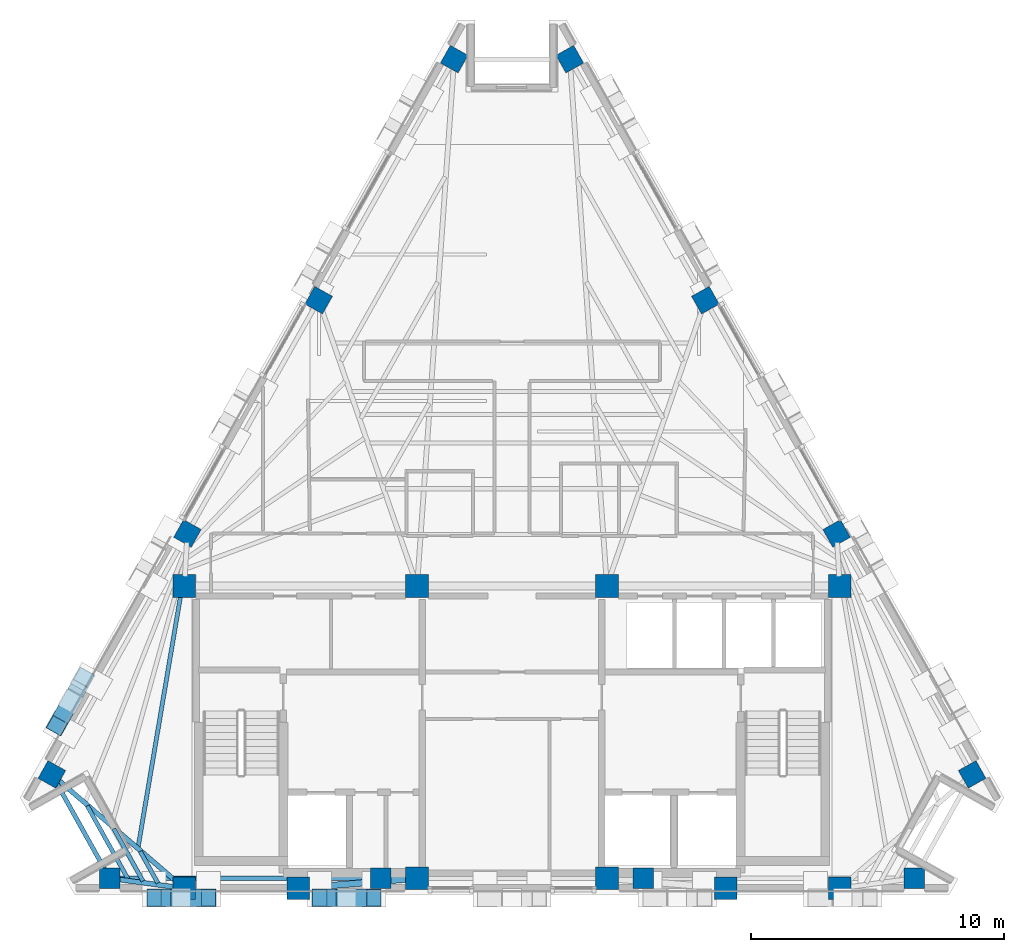
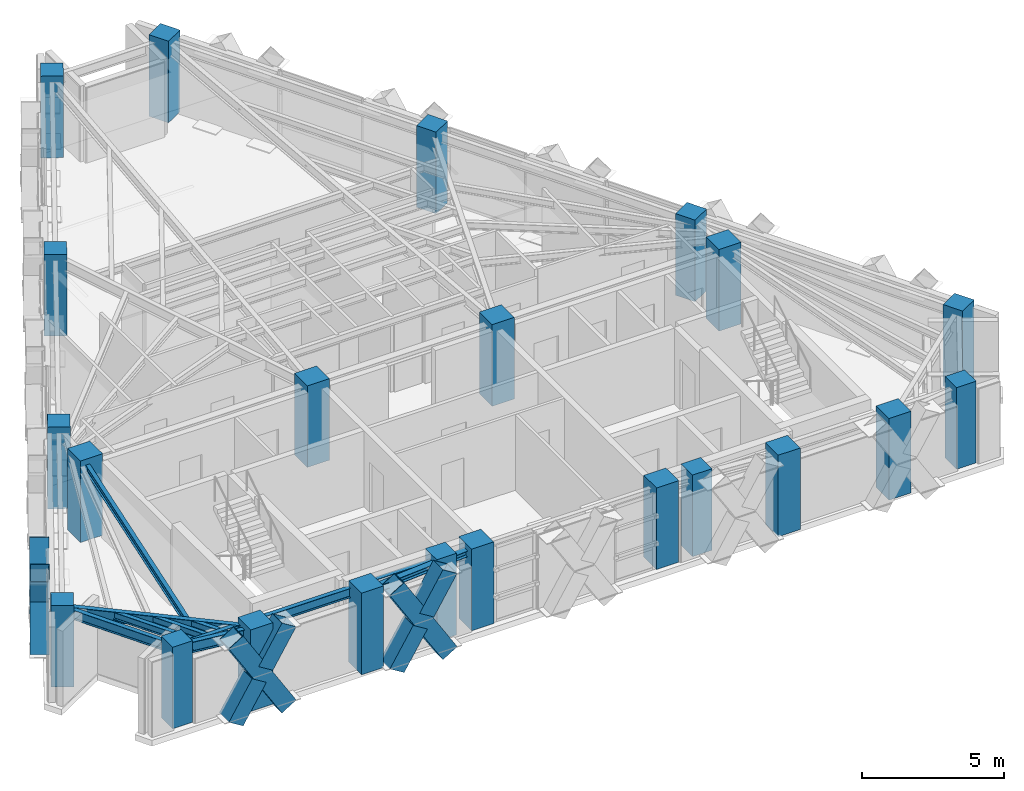
# One storey, part 1 of 11: 22 columns, 9 beams, 8 members.
"""IFC4 building model written with IfcOpenShell, lengths in metres."""

from ifc_helpers import new_model, si_unit, direction, frame, origin, origin_2d, place, context, subcontext, project, spatial, rectangle, hollow_rectangle, i_section, extrude, material, material_profile, profile_set, type_object, element, save


model = new_model("IFC4")

# Units and contexts
model_context = context("Model", 3, precision=1e-05, world=origin(), true_north=direction((0.0, 1.0)))
body_context = subcontext(model_context, "Body", "Model", "MODEL_VIEW")
ifc_project = project(units=[si_unit("LENGTHUNIT", "METRE"), si_unit("AREAUNIT", "SQUARE_METRE"), si_unit("VOLUMEUNIT", "CUBIC_METRE"), si_unit("PLANEANGLEUNIT", "RADIAN"), si_unit("MASSUNIT", "GRAM", prefix="KILO")], contexts=[model_context])

# Site, building, storey
site_placement = place(None, origin())
site = spatial("IfcSite", under=ifc_project, at=site_placement, CompositionType="ELEMENT")
building_placement = place(site_placement, origin())
building = spatial("IfcBuilding", under=site, at=building_placement, Name="Quenlor Broadcast Tower", CompositionType="ELEMENT")
storey_placement = place(building_placement, frame((0.0, 0.0, 253.39990234375)))
storey = spatial("IfcBuildingStorey", under=building, at=storey_placement, Name="L70", CompositionType="ELEMENT", Elevation=253.39990234375)

# Columns
ifc_material_1 = material(Name="Concrete C50/60", Category="concrete")
ifc_material_profile_1 = material_profile(ifc_material_1, rectangle(XDim=0.89990234375, YDim=0.89990234375, at=origin_2d()))
ifc_profile_set_1 = profile_set([ifc_material_profile_1], Name="Concrete C50/60 RC900x900")
column_type_1 = type_object("IfcColumnType", Name="Core Corner Column Upper Concrete C50/60 900", PredefinedType="COLUMN", material=ifc_profile_set_1)
for number, where, z_axis, x_axis, name in (
    (1, (-12.949951171875, -16.75, 0.0), (0.0, 0.0, 1.0), (1.0, 0.0, 0.0), "L70 Core Column CC1"),
    (2, (-8.449951171875, -16.75, 0.0), (0.0, 0.0, 1.0), (1.0, 0.0, 0.0), "L70 Core Column CC2"),
    (3, (-3.75, -16.35009765625, 0.0), (0.0, 0.0, 1.0), (1.0, 0.0, 0.0), "L70 Core Column CC3"),
    (4, (3.75, -16.35009765625, 0.0), (0.0, 0.0, 1.0), (1.0, 0.0, 0.0), "L70 Core Column CC4"),
    (5, (8.449951171875, -16.75, 0.0), (0.0, 0.0, 1.0), (1.0, 0.0, 0.0), "L70 Core Column CC5"),
    (6, (12.949951171875, -16.75, 0.0), (0.0, 0.0, 1.0), (1.0, 0.0, 0.0), "L70 Core Column CC6"),
    (7, (-12.949951171875, -4.800048828125, 0.0), (0.0, 0.0, 1.0), (1.0, 0.0, 0.0), "L70 Core Column CC7"),
    (8, (-3.75, -4.800048828125, 0.0), (0.0, 0.0, 1.0), (1.0, 0.0, 0.0), "L70 Core Column CC8"),
    (9, (3.75, -4.800048828125, 0.0), (0.0, 0.0, 1.0), (1.0, 0.0, 0.0), "L70 Core Column CC9"),
    (10, (12.949951171875, -4.800048828125, 0.0), (0.0, 0.0, 1.0), (1.0, 0.0, 0.0), "L70 Core Column CC10"),
):
    element("IfcColumn", number, at=place(storey_placement, frame(where, z_axis=z_axis, x_axis=x_axis)), inside=storey, type_object=column_type_1, Name=name, PredefinedType="COLUMN", context=body_context, shape_type="SweptSolid", body=[
        extrude(rectangle(XDim=0.89990234375, YDim=0.89990234375, at=origin_2d()), origin(), (0.0, 0.0, 1.0), 3.5),
    ])
ifc_material_2 = material(Name="Concrete C50/60", Category="concrete")
ifc_material_profile_2 = material_profile(ifc_material_2, rectangle(XDim=0.800048828125, YDim=0.800048828125, at=origin_2d()))
ifc_profile_set_2 = profile_set([ifc_material_profile_2], Name="Concrete C50/60 RC800x800")
column_type_2 = type_object("IfcColumnType", Name="Tower Perimeter Column Z5 Concrete C50/60 800", PredefinedType="COLUMN", material=ifc_profile_set_2)
for number, where, z_axis, x_axis, name in (
    (11, (-15.897705078125, -16.35009765625, 0.0), (0.0, 0.0, 1.0), (0.0, 1.0, 0.0), "L70 Perimeter Column S1"),
    (12, (-5.18408203125, -16.35009765625, 0.0), (0.0, 0.0, 1.0), (0.0, 1.0, 0.0), "L70 Perimeter Column S2"),
    (13, (5.18408203125, -16.35009765625, 0.0), (0.0, 0.0, 1.0), (0.0, 1.0, 0.0), "L70 Perimeter Column S3"),
    (14, (15.897705078125, -16.35009765625, 0.0), (0.0, 0.0, 1.0), (0.0, 1.0, 0.0), "L70 Perimeter Column S4"),
    (15, (18.182373046875, -12.25, 0.0), (0.0, 0.0, 1.0), (0.871575139605, 0.490261946333, 0.0), "L70 Perimeter Column NE1"),
    (16, (12.825439453125, -2.726806640625, 0.0), (0.0, 0.0, 1.0), (0.871575139605, 0.490261946333, 0.0), "L70 Perimeter Column NE2"),
    (17, (7.6416015625, 6.4892578125, 0.0), (0.0, 0.0, 1.0), (0.871575139605, 0.490261946333, 0.0), "L70 Perimeter Column NE3"),
    (18, (2.28466796875, 16.012451171875, 0.0), (0.0, 0.0, 1.0), (0.871575139605, 0.490261946333, 0.0), "L70 Perimeter Column NE4"),
    (19, (-2.28466796875, 16.012451171875, 0.0), (0.0, 0.0, 1.0), (-0.871575139605, 0.490261946333, 0.0), "L70 Perimeter Column NW1"),
    (20, (-7.6416015625, 6.4892578125, 0.0), (0.0, 0.0, 1.0), (-0.871575139605, 0.490261946333, 0.0), "L70 Perimeter Column NW2"),
    (21, (-12.825439453125, -2.726806640625, 0.0), (0.0, 0.0, 1.0), (-0.871575139605, 0.490261946333, 0.0), "L70 Perimeter Column NW3"),
    (22, (-18.182373046875, -12.25, 0.0), (0.0, 0.0, 1.0), (-0.871575139605, 0.490261946333, 0.0), "L70 Perimeter Column NW4"),
):
    element("IfcColumn", number, at=place(storey_placement, frame(where, z_axis=z_axis, x_axis=x_axis)), inside=storey, type_object=column_type_2, Name=name, PredefinedType="COLUMN", context=body_context, shape_type="SweptSolid", body=[
        extrude(rectangle(XDim=0.800048828125, YDim=0.800048828125, at=origin_2d()), origin(), (0.0, 0.0, 1.0), 3.5),
    ])

# Beam
ifc_material_3 = material(Name="Steel S355", Category="steel")
ifc_material_profile_3 = material_profile(ifc_material_3, i_section(OverallWidth=0.25390625, OverallDepth=0.25390625, WebThickness=0.008544921875, FlangeThickness=0.01416015625, FilletRadius=0.013916015625, at=origin_2d()))
ifc_profile_set_3 = profile_set([ifc_material_profile_3], Name="Steel S355 250UC72.9")
beam_type_1 = type_object("IfcBeamType", Name="Core Opening Lintel Beam Steel S355 250UC72.9", PredefinedType="LINTEL", material=ifc_profile_set_3)
beam_1_placement = place(storey_placement, frame((-8.09130859375, -16.719482421875, 3.123291015625), z_axis=(0.996399763903, 0.084779186679, 0.0), x_axis=(-0.084779186679, 0.996399763903, 0.0)))
element("IfcBeam", 23, at=beam_1_placement, inside=storey, type_object=beam_type_1, Name="L70 Core Opening Lintel Beam 4", PredefinedType="LINTEL", context=body_context, shape_type="SweptSolid", body=[
    extrude(i_section(OverallWidth=0.25390625, OverallDepth=0.25390625, WebThickness=0.008544921875, FlangeThickness=0.01416015625, FilletRadius=0.013916015625, at=origin_2d()), origin(), (0.0, 0.0, 1.0), 3.9970703125),
])

# Members
ifc_material_4 = material(Name="Steel S355", Category="steel")
ifc_material_profile_4 = material_profile(ifc_material_4, hollow_rectangle(XDim=0.679931640625, YDim=0.679931640625, WallThickness=0.02001953125, at=origin_2d()))
ifc_profile_set_4 = profile_set([ifc_material_profile_4], Name="Steel S355 RHS680x680x20")
member_type = type_object("IfcMemberType", Name="Perimeter Diagonal Lattice Brace Z5-Crown Steel S355 RHS680x20", PredefinedType="BRACE", material=ifc_profile_set_4)
member_1_placement = place(storey_placement, frame((-5.456298828125, -17.1201171875, -0.119873046875), z_axis=(-0.5236596973, 0.0, 0.851927532965), x_axis=(0.0, -1.0, 0.0)))
element("IfcMember", 24, at=member_1_placement, inside=storey, type_object=member_type, Name="L70 Perimeter Diamond Lattice S-C4XA", PredefinedType="BRACE", context=body_context, shape_type="SweptSolid", body=[
    extrude(hollow_rectangle(XDim=0.679931640625, YDim=0.679931640625, WallThickness=0.02001953125, at=origin_2d()), origin(), (0.0, 0.0, 1.0), 4.1083984375),
])
member_2_placement = place(storey_placement, frame((-7.607666015625, -17.1201171875, -0.119873046875), z_axis=(0.523719849356, 0.0, 0.851890555993), x_axis=(0.0, 1.0, 0.0)))
element("IfcMember", 25, at=member_2_placement, inside=storey, type_object=member_type, Name="L70 Perimeter Diamond Lattice S-C4XB1", PredefinedType="BRACE", context=body_context, shape_type="SweptSolid", body=[
    extrude(hollow_rectangle(XDim=0.679931640625, YDim=0.679931640625, WallThickness=0.02001953125, at=origin_2d()), origin(), (0.0, 0.0, 1.0), 1.803955078125),
])
member_3_placement = place(storey_placement, frame((-6.401123046875, -17.1201171875, 1.843017578125), z_axis=(0.523659478087, 0.0, 0.85192766771), x_axis=(0.0, 1.0, 0.0)))
element("IfcMember", 26, at=member_3_placement, inside=storey, type_object=member_type, Name="L70 Perimeter Diamond Lattice S-C4XB2", PredefinedType="BRACE", context=body_context, shape_type="SweptSolid", body=[
    extrude(hollow_rectangle(XDim=0.679931640625, YDim=0.679931640625, WallThickness=0.02001953125, at=origin_2d()), origin(), (0.0, 0.0, 1.0), 1.80419921875),
])
member_4_placement = place(storey_placement, frame((-11.98828125, -17.1201171875, -0.119873046875), z_axis=(-0.5236596973, 0.0, 0.851927532965), x_axis=(0.0, -1.0, 0.0)))
element("IfcMember", 27, at=member_4_placement, inside=storey, type_object=member_type, Name="L70 Perimeter Diamond Lattice S-C5XA", PredefinedType="BRACE", context=body_context, shape_type="SweptSolid", body=[
    extrude(hollow_rectangle(XDim=0.679931640625, YDim=0.679931640625, WallThickness=0.02001953125, at=origin_2d()), origin(), (0.0, 0.0, 1.0), 4.1083984375),
])
member_5_placement = place(storey_placement, frame((-14.1396484375, -17.1201171875, -0.119873046875), z_axis=(0.523719849356, 0.0, 0.851890555993), x_axis=(0.0, 1.0, 0.0)))
element("IfcMember", 28, at=member_5_placement, inside=storey, type_object=member_type, Name="L70 Perimeter Diamond Lattice S-C5XB1", PredefinedType="BRACE", context=body_context, shape_type="SweptSolid", body=[
    extrude(hollow_rectangle(XDim=0.679931640625, YDim=0.679931640625, WallThickness=0.02001953125, at=origin_2d()), origin(), (0.0, 0.0, 1.0), 1.803955078125),
])
member_6_placement = place(storey_placement, frame((-12.93310546875, -17.1201171875, 1.843017578125), z_axis=(0.523659478087, 0.0, 0.85192766771), x_axis=(0.0, 1.0, 0.0)))
element("IfcMember", 29, at=member_6_placement, inside=storey, type_object=member_type, Name="L70 Perimeter Diamond Lattice S-C5XB2", PredefinedType="BRACE", context=body_context, shape_type="SweptSolid", body=[
    extrude(hollow_rectangle(XDim=0.679931640625, YDim=0.679931640625, WallThickness=0.02001953125, at=origin_2d()), origin(), (0.0, 0.0, 1.0), 1.80419921875),
])
member_7_placement = place(storey_placement, frame((-17.982421875, -10.323974609375, -0.119873046875), z_axis=(0.260618804175, 0.463276364439, 0.847025884529), x_axis=(-0.8715547569, 0.490298180422, 0.0)))
element("IfcMember", 30, at=member_7_placement, inside=storey, type_object=member_type, Name="L70 Perimeter Diamond Lattice NW-C1XA", PredefinedType="BRACE", context=body_context, shape_type="SweptSolid", body=[
    extrude(hollow_rectangle(XDim=0.679931640625, YDim=0.679931640625, WallThickness=0.02001953125, at=origin_2d()), origin(), (0.0, 0.0, 1.0), 4.132080078125),
])
member_8_placement = place(storey_placement, frame((-17.509033203125, -9.482666015625, 1.841796875), z_axis=(-0.260656806259, -0.463240512825, 0.847033798988), x_axis=(0.871507987664, -0.490381308207, 0.0)))
element("IfcMember", 31, at=member_8_placement, inside=storey, type_object=member_type, Name="L70 Perimeter Diamond Lattice NW-C1XB2", PredefinedType="BRACE", context=body_context, shape_type="SweptSolid", body=[
    extrude(hollow_rectangle(XDim=0.679931640625, YDim=0.679931640625, WallThickness=0.02001953125, at=origin_2d()), origin(), (0.0, 0.0, 1.0), 1.816162109375),
])

# Beams
ifc_material_5 = material(Name="Steel S355", Category="steel")
ifc_material_profile_5 = material_profile(ifc_material_5, i_section(OverallWidth=0.177978515625, OverallDepth=0.406494140625, WebThickness=0.0078125, FlangeThickness=0.0126953125, FilletRadius=0.011474609375, at=origin_2d()))
ifc_profile_set_5 = profile_set([ifc_material_profile_5], Name="Steel S355 410UB59.7")
beam_type_2 = type_object("IfcBeamType", Name="Perimeter Spandrel Beam Z5 Steel S355 410UB59.7", PredefinedType="SPANDREL", material=ifc_profile_set_5)
beam_2_placement = place(storey_placement, frame((-15.53759765625, -16.35009765625, 3.046875), z_axis=(1.0, 0.0, 0.0), x_axis=(0.0, 1.0, 0.0)))
element("IfcBeam", 32, at=beam_2_placement, inside=storey, type_object=beam_type_2, Name="L70 Spandrel Beam S1-S2", PredefinedType="SPANDREL", context=body_context, shape_type="SweptSolid", body=[
    extrude(i_section(OverallWidth=0.177978515625, OverallDepth=0.406494140625, WebThickness=0.0078125, FlangeThickness=0.0126953125, FilletRadius=0.011474609375, at=origin_2d()), origin(), (0.0, 0.0, 1.0), 9.99365234375),
])
beam_3_placement = place(storey_placement, frame((-18.007080078125, -12.564453125, 3.046875), z_axis=(0.486800618374, -0.873513112638, 0.0), x_axis=(0.873513112638, 0.486800618374, 0.0)))
element("IfcBeam", 33, at=beam_3_placement, inside=storey, type_object=beam_type_2, Name="L70 Spandrel Beam NW4-S1", PredefinedType="SPANDREL", context=body_context, shape_type="SweptSolid", body=[
    extrude(i_section(OverallWidth=0.177978515625, OverallDepth=0.406494140625, WebThickness=0.0078125, FlangeThickness=0.0126953125, FilletRadius=0.011474609375, at=origin_2d()), origin(), (0.0, 0.0, 1.0), 3.9736328125),
])
ifc_material_6 = material(Name="Steel S355", Category="steel")
ifc_material_profile_6 = material_profile(ifc_material_6, i_section(OverallWidth=0.166015625, OverallDepth=0.30712890625, WebThickness=0.006591796875, FlangeThickness=0.01171875, FilletRadius=0.011474609375, at=origin_2d()))
ifc_profile_set_6 = profile_set([ifc_material_profile_6], Name="Steel S355 310UB46.2")
beam_type_3 = type_object("IfcBeamType", Name="Tower Composite Joist Z4-Z5 Steel S355 310UB46.2", PredefinedType="JOIST", material=ifc_profile_set_6)
beam_4_placement = place(storey_placement, frame((-14.76806640625, -15.09619140625, 3.096435546875), z_axis=(0.166553293246, 0.986032454085, 0.0), x_axis=(-0.986032454085, 0.166553293246, 0.0)))
element("IfcBeam", 34, at=beam_4_placement, inside=storey, type_object=beam_type_3, Name="L70 Secondary Composite Joist 13", PredefinedType="JOIST", context=body_context, shape_type="SweptSolid", body=[
    extrude(i_section(OverallWidth=0.166015625, OverallDepth=0.30712890625, WebThickness=0.006591796875, FlangeThickness=0.01171875, FilletRadius=0.011474609375, at=origin_2d()), origin(), (0.0, 0.0, 1.0), 11.097900390625),
])
beam_5_placement = place(storey_placement, frame((-13.9912109375, -16.544189453125, 3.096435546875), z_axis=(-0.486624304452, 0.873611347406, 0.0), x_axis=(-0.873611347406, -0.486624304452, 0.0)))
element("IfcBeam", 35, at=beam_5_placement, inside=storey, type_object=beam_type_3, Name="L70 Secondary Composite Joist 19", PredefinedType="JOIST", context=body_context, shape_type="SweptSolid", body=[
    extrude(i_section(OverallWidth=0.166015625, OverallDepth=0.30712890625, WebThickness=0.006591796875, FlangeThickness=0.01171875, FilletRadius=0.011474609375, at=origin_2d()), origin(), (0.0, 0.0, 1.0), 1.435791015625),
])
beam_6_placement = place(storey_placement, frame((-14.58056640625, -16.464111328125, 3.096435546875), z_axis=(-0.486820963037, 0.873501774439, 0.0), x_axis=(-0.873501774439, -0.486820963037, 0.0)))
element("IfcBeam", 36, at=beam_6_placement, inside=storey, type_object=beam_type_3, Name="L70 Secondary Composite Joist 20", PredefinedType="JOIST", context=body_context, shape_type="SweptSolid", body=[
    extrude(i_section(OverallWidth=0.166015625, OverallDepth=0.30712890625, WebThickness=0.006591796875, FlangeThickness=0.01171875, FilletRadius=0.011474609375, at=origin_2d()), origin(), (0.0, 0.0, 1.0), 2.37451171875),
])
beam_7_placement = place(storey_placement, frame((-15.170166015625, -16.384033203125, 3.096435546875), z_axis=(-0.486762404011, 0.873534408046, 0.0), x_axis=(-0.873534408046, -0.486762404011, 0.0)))
element("IfcBeam", 37, at=beam_7_placement, inside=storey, type_object=beam_type_3, Name="L70 Secondary Composite Joist 21", PredefinedType="JOIST", context=body_context, shape_type="SweptSolid", body=[
    extrude(i_section(OverallWidth=0.166015625, OverallDepth=0.30712890625, WebThickness=0.006591796875, FlangeThickness=0.01171875, FilletRadius=0.011474609375, at=origin_2d()), origin(), (0.0, 0.0, 1.0), 3.313232421875),
])
ifc_material_7 = material(Name="Steel S355", Category="steel")
ifc_material_profile_7 = material_profile(ifc_material_7, i_section(OverallWidth=0.19091796875, OverallDepth=0.46044921875, WebThickness=0.010009765625, FlangeThickness=0.01611328125, FilletRadius=0.011474609375, at=origin_2d()))
ifc_profile_set_7 = profile_set([ifc_material_profile_7], Name="Steel S355 460UB82.1")
beam_type_4 = type_object("IfcBeamType", Name="Tower Primary Floor Beam Z5 Steel S355 460UB82.1", PredefinedType="BEAM", material=ifc_profile_set_7)
beam_8_placement = place(storey_placement, frame((-15.541015625, -16.3984375, 3.02001953125), z_axis=(0.990917044125, -0.134474576267, 0.0), x_axis=(0.134474576267, 0.990917044125, 0.0)))
element("IfcBeam", 38, at=beam_8_placement, inside=storey, type_object=beam_type_4, Name="L70 Primary Radial Beam S1", PredefinedType="BEAM", context=body_context, shape_type="SweptSolid", body=[
    extrude(i_section(OverallWidth=0.19091796875, OverallDepth=0.46044921875, WebThickness=0.010009765625, FlangeThickness=0.01611328125, FilletRadius=0.011474609375, at=origin_2d()), origin(), (0.0, 0.0, 1.0), 2.23486328125),
])
beam_9_placement = place(storey_placement, frame((-17.909423828125, -12.484619140625, 3.02001953125), z_axis=(0.75817030855, -0.652056579779, 0.0), x_axis=(0.652056579779, 0.75817030855, 0.0)))
element("IfcBeam", 39, at=beam_9_placement, inside=storey, type_object=beam_type_4, Name="L70 Primary Radial Beam NW4", PredefinedType="BEAM", context=body_context, shape_type="SweptSolid", body=[
    extrude(i_section(OverallWidth=0.19091796875, OverallDepth=0.46044921875, WebThickness=0.010009765625, FlangeThickness=0.01611328125, FilletRadius=0.011474609375, at=origin_2d()), origin(), (0.0, 0.0, 1.0), 6.161376953125),
])

save(model, "model.ifc")
